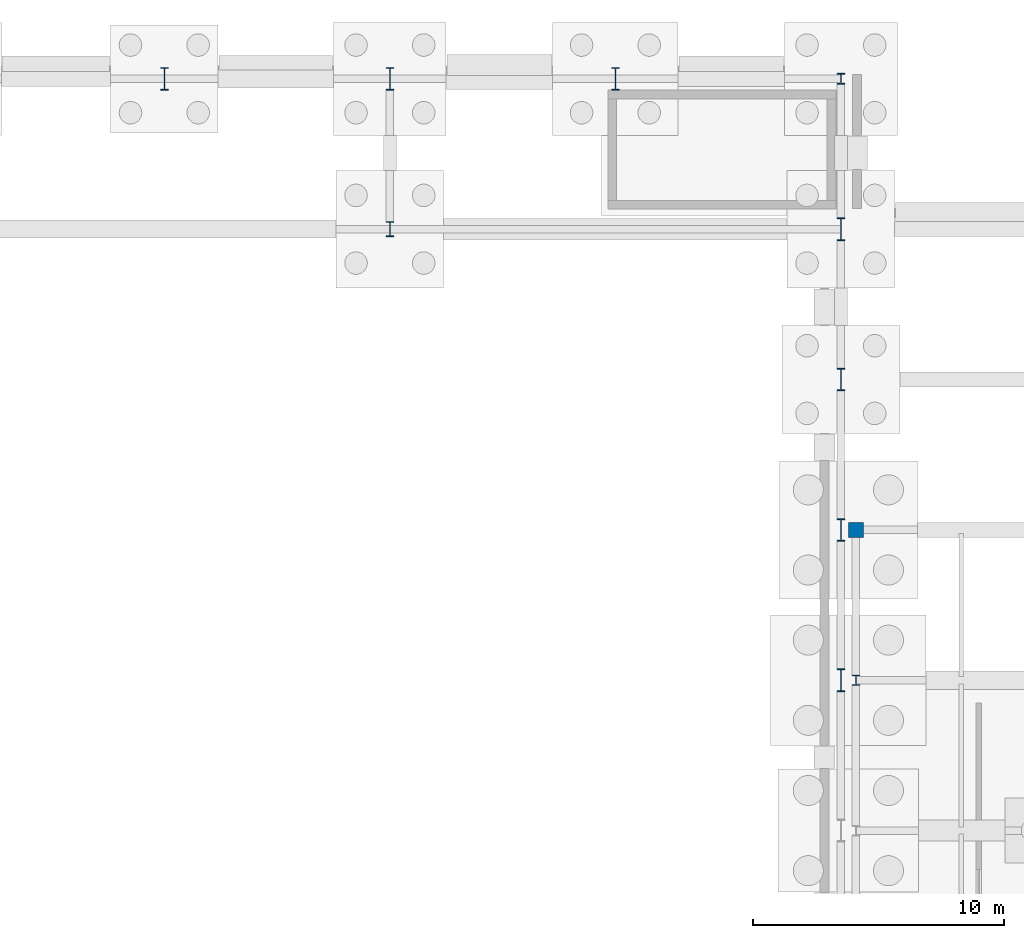
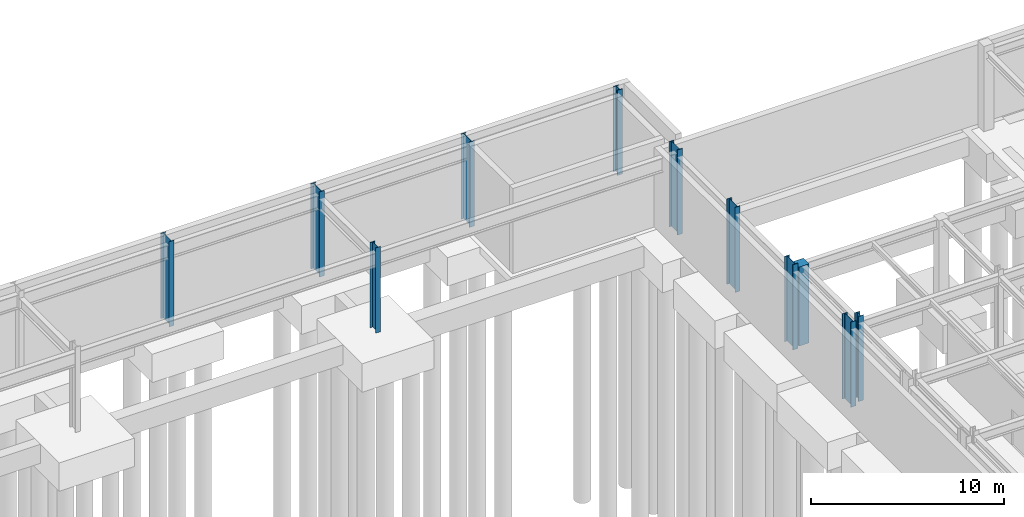
# One storey, part 25 of 65: 11 columns.
"""IFC4 building model written with IfcOpenShell, lengths in metres."""

from ifc_helpers import new_model, si_unit, direction, frame, origin, origin_2d, place, context, subcontext, project, spatial, rectangle, i_section, extrude, material, material_profile, profile_set, type_object, element, save


model = new_model("IFC4")

# Units and contexts
model_context = context("Model", 3, precision=1e-05, world=origin(), true_north=direction((0.0, 1.0)))
body_context = subcontext(model_context, "Body", "Model", "MODEL_VIEW")
ifc_project = project(units=[si_unit("LENGTHUNIT", "METRE"), si_unit("AREAUNIT", "SQUARE_METRE"), si_unit("VOLUMEUNIT", "CUBIC_METRE"), si_unit("PLANEANGLEUNIT", "RADIAN"), si_unit("MASSUNIT", "GRAM", prefix="KILO")], contexts=[model_context])

# Site, building, storey
site_placement = place(None, origin())
site = spatial("IfcSite", under=ifc_project, at=site_placement, CompositionType="ELEMENT")
building_placement = place(site_placement, origin())
building = spatial("IfcBuilding", under=site, at=building_placement, Name="Kaldris Quays Convention Centre", CompositionType="ELEMENT")
storey_placement = place(building_placement, frame((0.0, 0.0, -5.39990234375)))
storey = spatial("IfcBuildingStorey", under=building, at=storey_placement, Name="B1", CompositionType="ELEMENT", Elevation=-5.39990234375)

# Columns
ifc_material_1 = material(Name="Steel S460ML", Category="steel")
ifc_material_profile_1 = material_profile(ifc_material_1, i_section(OverallWidth=0.306884765625, OverallDepth=0.431884765625, WebThickness=0.02099609375, FlangeThickness=0.0400390625, FilletRadius=0.027099609375, at=origin_2d()), Name="HEM 400")
ifc_profile_set_1 = profile_set([ifc_material_profile_1], Name="Steel S460ML")
column_type_1 = type_object("IfcColumnType", Name="STRUCTURAL COLUMN CL01", PredefinedType="COLUMN", material=ifc_profile_set_1)
column_1_placement = place(storey_placement, frame((146.0, 140.0, 0.0), z_axis=(0.0, 0.0, 1.0), x_axis=(1.0, 0.0, 0.0)))
element("IfcColumn", 1, at=column_1_placement, inside=storey, type_object=column_type_1, Name="B1 V1 Column CL01 (146.00, 140.00)", PredefinedType="COLUMN", context=body_context, shape_type="SweptSolid", body=[
    extrude(i_section(OverallWidth=0.306884765625, OverallDepth=0.431884765625, WebThickness=0.02099609375, FlangeThickness=0.0400390625, FilletRadius=0.027099609375, at=origin_2d()), origin(), (0.0, 0.0, 1.0), 5.39990234375),
])
ifc_material_2 = material(Name="Steel S355J2", Category="steel")
ifc_material_profile_2 = material_profile(ifc_material_2, i_section(OverallWidth=0.300048828125, OverallDepth=0.89990234375, WebThickness=0.0185546875, FlangeThickness=0.034912109375, FilletRadius=0.030029296875, at=origin_2d()), Name="HEB 900")
ifc_profile_set_2 = profile_set([ifc_material_profile_2], Name="Steel S355J2")
column_type_2 = type_object("IfcColumnType", Name="STRUCTURAL COLUMN CL03", PredefinedType="COLUMN", material=ifc_profile_set_2)
for number, where, z_axis, x_axis, name in (
    (2, (119.0, 140.0, 0.0), (0.0, 0.0, 1.0), (1.0, 0.0, 0.0), "B1 V1 Column CL03 (119.00, 140.00)"),
    (3, (128.0, 140.0, 0.0), (0.0, 0.0, 1.0), (1.0, 0.0, 0.0), "B1 V1 Column CL03 (128.00, 140.00)"),
    (4, (137.0, 140.0, 0.0), (0.0, 0.0, 1.0), (1.0, 0.0, 0.0), "B1 V1 Column CL03 (137.00, 140.00)"),
    (5, (146.0, 116.0, 0.0), (0.0, 0.0, 1.0), (1.0, 0.0, 0.0), "B1 V1 Column CL03 (146.00, 116.00)"),
    (6, (146.0, 122.0, 0.0), (0.0, 0.0, 1.0), (1.0, 0.0, 0.0), "B1 V1 Column CL03 (146.00, 122.00)"),
    (7, (146.0, 128.0, 0.0), (0.0, 0.0, 1.0), (1.0, 0.0, 0.0), "B1 V1 Column CL03 (146.00, 128.00)"),
    (8, (146.0, 134.0, 0.0), (0.0, 0.0, 1.0), (1.0, 0.0, 0.0), "B1 V1 Column CL03 (146.00, 134.00)"),
):
    element("IfcColumn", number, at=place(storey_placement, frame(where, z_axis=z_axis, x_axis=x_axis)), inside=storey, type_object=column_type_2, Name=name, PredefinedType="COLUMN", context=body_context, shape_type="SweptSolid", body=[
        extrude(i_section(OverallWidth=0.300048828125, OverallDepth=0.89990234375, WebThickness=0.0185546875, FlangeThickness=0.034912109375, FilletRadius=0.030029296875, at=origin_2d()), origin(), (0.0, 0.0, 1.0), 5.39990234375),
    ])
ifc_material_profile_3 = material_profile(ifc_material_2, i_section(OverallWidth=0.300048828125, OverallDepth=0.60009765625, WebThickness=0.015380859375, FlangeThickness=0.030029296875, FilletRadius=0.027099609375, at=origin_2d()), Name="HEB 600")
ifc_profile_set_3 = profile_set([ifc_material_profile_3], Name="Steel S355J2")
column_type_3 = type_object("IfcColumnType", Name="STRUCTURAL COLUMN CL06", PredefinedType="COLUMN", material=ifc_profile_set_3)
column_2_placement = place(storey_placement, frame((128.0, 134.0, 0.0), z_axis=(0.0, 0.0, 1.0), x_axis=(1.0, 0.0, 0.0)))
element("IfcColumn", 9, at=column_2_placement, inside=storey, type_object=column_type_3, Name="B1 V1 Column CL06 (128.00, 134.00)", PredefinedType="COLUMN", context=body_context, shape_type="SweptSolid", body=[
    extrude(i_section(OverallWidth=0.300048828125, OverallDepth=0.60009765625, WebThickness=0.015380859375, FlangeThickness=0.030029296875, FilletRadius=0.027099609375, at=origin_2d()), origin(), (0.0, 0.0, 1.0), 5.39990234375),
])
ifc_material_profile_4 = material_profile(ifc_material_2, i_section(OverallWidth=0.300048828125, OverallDepth=0.39990234375, WebThickness=0.013427734375, FlangeThickness=0.02392578125, FilletRadius=0.027099609375, at=origin_2d()), Name="HEB 400")
ifc_profile_set_4 = profile_set([ifc_material_profile_4], Name="Steel S355J2")
column_type_4 = type_object("IfcColumnType", Name="STRUCTURAL COLUMN CL09", PredefinedType="COLUMN", material=ifc_profile_set_4)
column_3_placement = place(storey_placement, frame((146.60009765625, 116.0, 0.0), z_axis=(0.0, 0.0, 1.0), x_axis=(1.0, 0.0, 0.0)))
element("IfcColumn", 10, at=column_3_placement, inside=storey, type_object=column_type_4, Name="B1 V4 Column CL09 (146.60, 116.00)", PredefinedType="COLUMN", context=body_context, shape_type="SweptSolid", body=[
    extrude(i_section(OverallWidth=0.300048828125, OverallDepth=0.39990234375, WebThickness=0.013427734375, FlangeThickness=0.02392578125, FilletRadius=0.027099609375, at=origin_2d()), origin(), (0.0, 0.0, 1.0), 5.39990234375),
])
ifc_material_3 = material(Name="Concrete C40/50", Category="concrete")
ifc_material_profile_5 = material_profile(ifc_material_3, rectangle(XDim=0.60009765625, YDim=0.60009765625, at=origin_2d()), Name="RC 600x600")
ifc_profile_set_5 = profile_set([ifc_material_profile_5], Name="Concrete C40/50")
column_type_5 = type_object("IfcColumnType", Name="STRUCTURAL COLUMN CL15", PredefinedType="COLUMN", material=ifc_profile_set_5)
column_4_placement = place(storey_placement, frame((146.60009765625, 122.0, 0.0), z_axis=(0.0, 0.0, 1.0), x_axis=(1.0, 0.0, 0.0)))
element("IfcColumn", 11, at=column_4_placement, inside=storey, type_object=column_type_5, Name="B1 V4_apron Column CL15 (146.60, 122.00)", PredefinedType="COLUMN", context=body_context, shape_type="SweptSolid", body=[
    extrude(rectangle(XDim=0.60009765625, YDim=0.60009765625, at=origin_2d()), origin(), (0.0, 0.0, 1.0), 5.0048828125),
])

save(model, "model.ifc")
